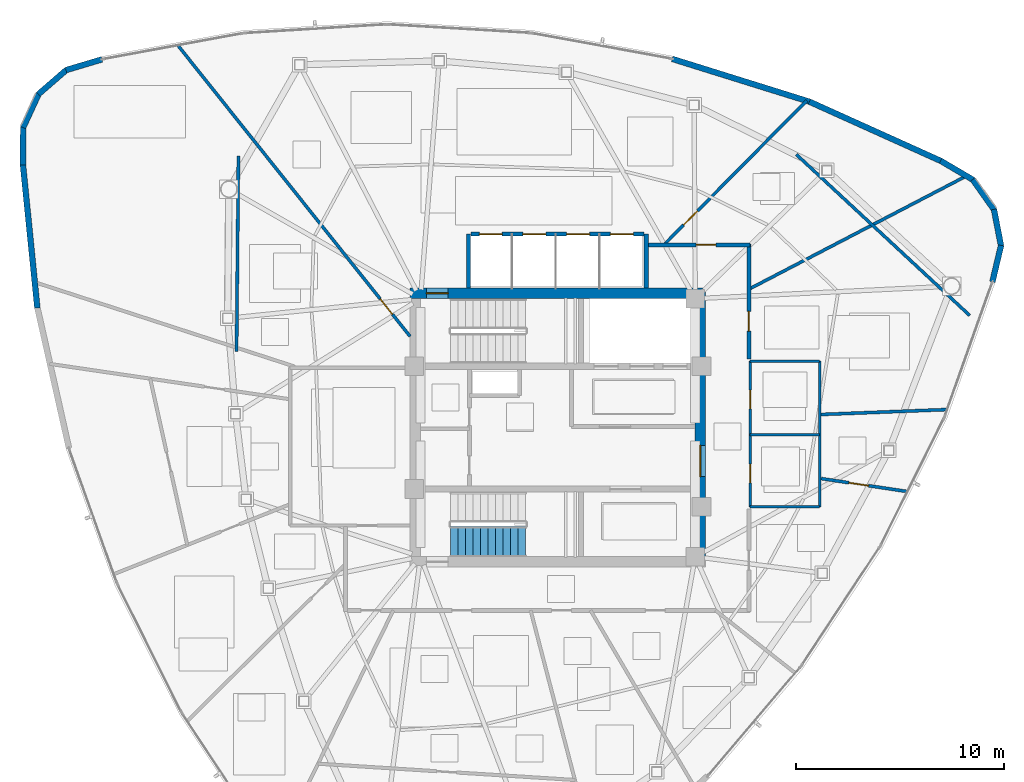
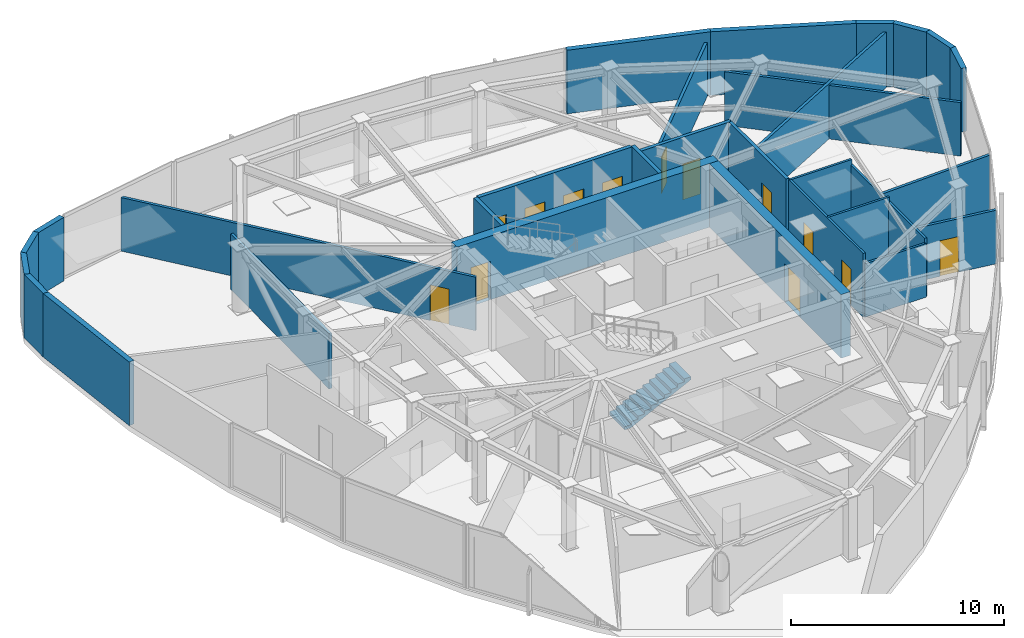
# One storey, part 9 of 13: 30 walls, 13 doors, 1 stair flight, 13 openings, 1 element without a shape of its own.
"""IFC4 building model written with IfcOpenShell, lengths in metres."""

from ifc_helpers import new_model, si_unit, direction, frame, frame_2d, origin, place, context, subcontext, project, spatial, polyline, rectangle, outline, extrude, material, layer, layer_set, type_object, element, fill, aggregate, save


model = new_model("IFC4")

# Units and contexts
model_context = context("Model", 3, precision=1e-05, world=origin(), true_north=direction((0.0, 1.0)))
body_context = subcontext(model_context, "Body", "Model", "MODEL_VIEW")
ifc_project = project(units=[si_unit("LENGTHUNIT", "METRE"), si_unit("AREAUNIT", "SQUARE_METRE"), si_unit("VOLUMEUNIT", "CUBIC_METRE"), si_unit("PLANEANGLEUNIT", "RADIAN"), si_unit("MASSUNIT", "GRAM", prefix="KILO")], contexts=[model_context])

# Site, building, storey
site_placement = place(None, origin())
site = spatial("IfcSite", under=ifc_project, at=site_placement, CompositionType="ELEMENT")
building_placement = place(site_placement, origin())
building = spatial("IfcBuilding", under=site, at=building_placement, Name="Tavelor Broadcast Tower", CompositionType="ELEMENT")
storey_placement = place(building_placement, frame((0.0, 0.0, 265.60009765625)))
storey = spatial("IfcBuildingStorey", under=building, at=storey_placement, Name="L63", CompositionType="ELEMENT", Elevation=265.60009765625)

# Wall, opening, door
ifc_material_1 = material(Name="Concrete C50/60", Category="concrete")
ifc_layer_1 = layer(ifc_material_1, 0.5)
ifc_layer_set_1 = layer_set([ifc_layer_1], Name="Concrete C50/60")
wall_type_1 = type_object("IfcWallType", Name="Core Shear Wall 500 mm", PredefinedType="SHEAR", material=ifc_layer_set_1)
wall_1_placement = place(storey_placement, frame((42.89990234375, 51.449951171875, 0.0), z_axis=(0.0, 0.0, 1.0), x_axis=(1.0, 0.0, 0.0)))
wall_1 = element("IfcWall", 1, at=wall_1_placement, inside=storey, type_object=wall_type_1, Name="L63 Central Core Shear Wall N", PredefinedType="SHEAR", context=body_context, shape_type="SweptSolid", body=[
    extrude(rectangle(XDim=14.2001953125, YDim=0.5, at=frame_2d((7.10009765625, 0.0))), origin(), (0.0, 0.0, 1.0), 3.64990234375),
])
opening_1_placement = place(wall_1_placement, frame((0.780029296875, 0.0, 0.0)))
opening_1 = element("IfcOpeningElement", 2, at=opening_1_placement, cuts=wall_1, Name="Opening DR11", PredefinedType="OPENING", context=body_context, shape_type="SweptSolid", body=[
    extrude(rectangle(XDim=1.050048828125, YDim=2.199951171875, at=frame_2d((0.52490234375, 1.10009765625))), frame((0.0, 0.260009765625, 0.0), z_axis=(0.0, -1.0, 0.0), x_axis=(1.0, 0.0, 0.0)), (0.0, 0.0, 1.0), 0.52001953125),
])
ifc_material_2 = material(Name="Steel S355", Category="steel")
door_type_1 = type_object("IfcDoorType", Name="Stair Core Fire Escape Door 1050x2200", OperationType="NOTDEFINED", PredefinedType="DOOR", material=ifc_material_2)
door_1_placement = place(opening_1_placement, origin())
door_1 = element("IfcDoor", 3, at=door_1_placement, inside=storey, type_object=door_type_1, Name="L63 Stair ST1 Protected Exit Door", OperationType="SINGLE_SWING_LEFT", OverallHeight=2.199951171875, OverallWidth=1.050048828125, PredefinedType="DOOR", context=body_context, shape_type="SweptSolid", body=[
    extrude(rectangle(XDim=1.050048828125, YDim=2.199951171875, at=frame_2d((0.52490234375, 1.10009765625))), frame((0.0, 0.02490234375, 0.0), z_axis=(0.0, -1.0, 0.0), x_axis=(1.0, 0.0, 0.0)), (0.0, 0.0, 1.0), 0.050048828125),
])
fill(opening_1, door_1)

wall_2_placement = place(storey_placement, frame((56.85009765625, 38.800048828125, 0.0), z_axis=(0.0, 0.0, 1.0), x_axis=(0.0, 1.0, 0.0)))
wall_2 = element("IfcWall", 4, at=wall_2_placement, inside=storey, type_object=wall_type_1, Name="L63 Central Core Shear Wall E", PredefinedType="SHEAR", context=body_context, shape_type="SweptSolid", body=[
    extrude(rectangle(XDim=12.39990234375, YDim=0.5, at=frame_2d((6.199951171875, 0.0))), origin(), (0.0, 0.0, 1.0), 3.64990234375),
])
opening_2_placement = place(wall_2_placement, frame((3.85009765625, 0.0, 0.0)))
opening_2 = element("IfcOpeningElement", 5, at=opening_2_placement, cuts=wall_2, Name="Opening DR14", PredefinedType="OPENING", context=body_context, shape_type="SweptSolid", body=[
    extrude(rectangle(XDim=1.5, YDim=2.199951171875, at=frame_2d((0.75, 1.10009765625))), frame((0.0, 0.260009765625, 0.0), z_axis=(0.0, -1.0, 0.0), x_axis=(1.0, 0.0, 0.0)), (0.0, 0.0, 1.0), 0.52001953125),
])
door_type_2 = type_object("IfcDoorType", Name="Firefighting Lobby Double Fire Door 1500x2200", OperationType="NOTDEFINED", PredefinedType="DOOR", material=ifc_material_2)
door_2_placement = place(opening_2_placement, origin())
door_2 = element("IfcDoor", 6, at=door_2_placement, inside=storey, type_object=door_type_2, Name="L63 Central Core Lobby Fire Door", OperationType="SINGLE_SWING_LEFT", OverallHeight=2.199951171875, OverallWidth=1.5, PredefinedType="DOOR", context=body_context, shape_type="SweptSolid", body=[
    extrude(rectangle(XDim=1.5, YDim=2.199951171875, at=frame_2d((0.75, 1.10009765625))), frame((0.0, 0.02490234375, 0.0), z_axis=(0.0, -1.0, 0.0), x_axis=(1.0, 0.0, 0.0)), (0.0, 0.0, 1.0), 0.050048828125),
])
fill(opening_2, door_2)

ifc_material_3 = material(Name="Calcium Silicate Fire Board 180 mm", Category="gypsum")
ifc_layer_2 = layer(ifc_material_3, 0.179931640625)
ifc_layer_set_2 = layer_set([ifc_layer_2], Name="Calcium Silicate Fire Board 180 mm")
wall_type_2 = type_object("IfcWallType", Name="Fire-Rated Corridor Partition Wall 180 mm", PredefinedType="PARTITIONING", material=ifc_layer_set_2)
wall_3_placement = place(storey_placement, frame((54.300048828125, 53.780029296875, 0.0), z_axis=(0.0, 0.0, 1.0), x_axis=(1.0, 0.0, 0.0)))
wall_3 = element("IfcWall", 7, at=wall_3_placement, inside=storey, type_object=wall_type_2, Name="L63 Corridor Compartment Wall 01", PredefinedType="PARTITIONING", context=body_context, shape_type="SweptSolid", body=[
    extrude(rectangle(XDim=4.929931640625, YDim=0.179931640625, at=frame_2d((2.46484375, 0.0))), origin(), (0.0, 0.0, 1.0), 3.64990234375),
])
opening_3_placement = place(wall_3_placement, frame((2.3388671875, 0.0, 0.0)))
opening_3 = element("IfcOpeningElement", 8, at=opening_3_placement, cuts=wall_3, Name="Opening DR18", PredefinedType="OPENING", context=body_context, shape_type="SweptSolid", body=[
    extrude(rectangle(XDim=0.949951171875, YDim=2.050048828125, at=frame_2d((0.47509765625, 1.02490234375))), frame((0.0, 0.10009765625, 0.0), z_axis=(0.0, -1.0, 0.0), x_axis=(1.0, 0.0, 0.0)), (0.0, 0.0, 1.0), 0.199951171875),
])
ifc_material_4 = material(Name="Timber Solid Core Hardwood", Category="wood")
door_type_3 = type_object("IfcDoorType", Name="Corridor Rated Compartment Door 950x2050", OperationType="NOTDEFINED", PredefinedType="DOOR", material=ifc_material_4)
door_3_placement = place(opening_3_placement, origin())
door_3 = element("IfcDoor", 9, at=door_3_placement, inside=storey, type_object=door_type_3, Name="L63 Catering Server Pantry Door R11", OperationType="SINGLE_SWING_LEFT", OverallHeight=2.050048828125, OverallWidth=0.949951171875, PredefinedType="DOOR", context=body_context, shape_type="SweptSolid", body=[
    extrude(rectangle(XDim=0.949951171875, YDim=2.050048828125, at=frame_2d((0.47509765625, 1.02490234375))), frame((0.0, 0.02490234375, 0.0), z_axis=(0.0, -1.0, 0.0), x_axis=(1.0, 0.0, 0.0)), (0.0, 0.0, 1.0), 0.050048828125),
])
fill(opening_3, door_3)

wall_4_placement = place(storey_placement, frame((59.179931640625, 53.830078125, 0.0), z_axis=(0.0, 0.0, 1.0), x_axis=(0.0, -1.0, 0.0)))
wall_4 = element("IfcWall", 10, at=wall_4_placement, inside=storey, type_object=wall_type_2, Name="L63 Corridor Compartment Wall 02", PredefinedType="PARTITIONING", context=body_context, shape_type="SweptSolid", body=[
    extrude(rectangle(XDim=5.530029296875, YDim=0.179931640625, at=frame_2d((2.76513671875, 0.0))), origin(), (0.0, 0.0, 1.0), 3.64990234375),
])
opening_4_placement = place(wall_4_placement, frame((3.237548828125, 0.0, 0.0)))
opening_4 = element("IfcOpeningElement", 11, at=opening_4_placement, cuts=wall_4, Name="Opening DR18", PredefinedType="OPENING", context=body_context, shape_type="SweptSolid", body=[
    extrude(rectangle(XDim=0.949951171875, YDim=2.050048828125, at=frame_2d((0.47509765625, 1.02490234375))), frame((0.0, 0.10009765625, 0.0), z_axis=(0.0, -1.0, 0.0), x_axis=(1.0, 0.0, 0.0)), (0.0, 0.0, 1.0), 0.199951171875),
])
door_4_placement = place(opening_4_placement, origin())
door_4 = element("IfcDoor", 12, at=door_4_placement, inside=storey, type_object=door_type_3, Name="L63 Press Concierge Desk Door R12", OperationType="SINGLE_SWING_RIGHT", OverallHeight=2.050048828125, OverallWidth=0.949951171875, PredefinedType="DOOR", context=body_context, shape_type="SweptSolid", body=[
    extrude(rectangle(XDim=0.949951171875, YDim=2.050048828125, at=frame_2d((0.47509765625, 1.02490234375))), frame((0.0, 0.02490234375, 0.0), z_axis=(0.0, -1.0, 0.0), x_axis=(1.0, 0.0, 0.0)), (0.0, 0.0, 1.0), 0.050048828125),
])
fill(opening_4, door_4)

# Walls
ifc_material_5 = material(Name="Precast Concrete C40/50", Category="concrete")
ifc_layer_3 = layer(ifc_material_5, 0.280029296875)
ifc_layer_set_3 = layer_set([ifc_layer_3], Name="Precast Concrete C40/50")
wall_type_3 = type_object("IfcWallType", Name="Insulated Precast Terracotta Facade Wall 280 mm", PredefinedType="STANDARD", material=ifc_layer_set_3)
wall_5_placement = place(storey_placement, frame((28.09228515625, 62.69677734375, 0.0), z_axis=(0.0, 0.0, 1.0), x_axis=(-0.95805708226, -0.286577436537, 0.0)))
element("IfcWall", 13, at=wall_5_placement, inside=storey, type_object=wall_type_3, Name="L63 Rounded Corner Structural Cladding Pier 01", PredefinedType="STANDARD", context=body_context, shape_type="SweptSolid", body=[
    extrude(rectangle(XDim=1.802734375, YDim=0.280029296875, at=frame_2d((0.9013671875, 0.0))), origin(), (0.0, 0.0, 1.0), 3.64990234375),
])
for number, where, z_axis, x_axis, name in (
    (14, (26.39111328125, 62.1943359375, 0.0), (0.0, 0.0, 1.0), (-0.755297660061, -0.655381907521, 0.0), "L63 Rounded Corner Structural Cladding Pier 02"),
    (15, (25.055908203125, 61.0439453125, 0.0), (0.0, 0.0, 1.0), (-0.418634546618, -0.908154786574, 0.0), "L63 Rounded Corner Structural Cladding Pier 03"),
):
    element("IfcWall", number, at=place(storey_placement, frame(where, z_axis=z_axis, x_axis=x_axis)), inside=storey, type_object=wall_type_3, Name=name, PredefinedType="STANDARD", context=body_context, shape_type="SweptSolid", body=[
        extrude(rectangle(XDim=1.791015625, YDim=0.280029296875, at=frame_2d((0.8955078125, 0.0))), origin(), (0.0, 0.0, 1.0), 3.64990234375),
    ])
wall_6_placement = place(storey_placement, frame((24.3125, 59.446044921875, 0.0), z_axis=(0.0, 0.0, 1.0), x_axis=(-0.007942668139, -0.999968456514, 0.0)))
element("IfcWall", 16, at=wall_6_placement, inside=storey, type_object=wall_type_3, Name="L63 Rounded Corner Structural Cladding Pier 04", PredefinedType="STANDARD", context=body_context, shape_type="SweptSolid", body=[
    extrude(rectangle(XDim=1.8134765625, YDim=0.280029296875, at=frame_2d((0.90673828125, 0.0))), origin(), (0.0, 0.0, 1.0), 3.64990234375),
])
wall_7_placement = place(storey_placement, frame((24.296875, 57.66259765625, 0.0), z_axis=(0.0, 0.0, 1.0), x_axis=(0.099743821193, -0.995013150734, 0.0)))
element("IfcWall", 17, at=wall_7_placement, inside=storey, type_object=wall_type_3, Name="L63 Rounded Corner Structural Cladding Pier 05", PredefinedType="STANDARD", context=body_context, shape_type="SweptSolid", body=[
    extrude(rectangle(XDim=6.946533203125, YDim=0.280029296875, at=frame_2d((3.47314453125, 0.0))), origin(), (0.0, 0.0, 1.0), 3.64990234375),
])
wall_8_placement = place(storey_placement, frame((70.879638671875, 52.006591796875, 0.0), z_axis=(0.0, 0.0, 1.0), x_axis=(0.230918582412, 0.972973076861, 0.0)))
element("IfcWall", 18, at=wall_8_placement, inside=storey, type_object=wall_type_3, Name="L63 Rounded Corner Structural Cladding Pier 21", PredefinedType="STANDARD", context=body_context, shape_type="SweptSolid", body=[
    extrude(rectangle(XDim=1.802734375, YDim=0.280029296875, at=frame_2d((0.9013671875, 0.0))), origin(), (0.0, 0.0, 1.0), 3.64990234375),
])
for number, where, z_axis, x_axis, name in (
    (19, (71.295166015625, 53.731201171875, 0.0), (0.0, 0.0, 1.0), (-0.189898981255, 0.981803634602, 0.0), "L63 Rounded Corner Structural Cladding Pier 22"),
    (20, (70.966552734375, 55.462646484375, 0.0), (0.0, 0.0, 1.0), (-0.577207606276, 0.816597440149, 0.0), "L63 Rounded Corner Structural Cladding Pier 23"),
):
    element("IfcWall", number, at=place(storey_placement, frame(where, z_axis=z_axis, x_axis=x_axis)), inside=storey, type_object=wall_type_3, Name=name, PredefinedType="STANDARD", context=body_context, shape_type="SweptSolid", body=[
        extrude(rectangle(XDim=1.790771484375, YDim=0.280029296875, at=frame_2d((0.8955078125, 0.0))), origin(), (0.0, 0.0, 1.0), 3.64990234375),
    ])
wall_9_placement = place(storey_placement, frame((69.954345703125, 56.9052734375, 0.0), z_axis=(0.0, 0.0, 1.0), x_axis=(-0.862055306769, 0.506814214551, 0.0)))
element("IfcWall", 21, at=wall_9_placement, inside=storey, type_object=wall_type_3, Name="L63 Rounded Corner Structural Cladding Pier 24", PredefinedType="STANDARD", context=body_context, shape_type="SweptSolid", body=[
    extrude(rectangle(XDim=1.813720703125, YDim=0.280029296875, at=frame_2d((0.90673828125, 0.0))), origin(), (0.0, 0.0, 1.0), 3.64990234375),
])
wall_10_placement = place(storey_placement, frame((68.41748046875, 57.810546875, 0.0), z_axis=(0.0, 0.0, 1.0), x_axis=(-0.911568677277, 0.411147840329, 0.0)))
element("IfcWall", 22, at=wall_10_placement, inside=storey, type_object=wall_type_3, Name="L63 Rounded Corner Structural Cladding Pier 25", PredefinedType="STANDARD", context=body_context, shape_type="SweptSolid", body=[
    extrude(rectangle(XDim=6.9462890625, YDim=0.280029296875, at=frame_2d((3.47314453125, 0.0))), origin(), (0.0, 0.0, 1.0), 3.64990234375),
])
wall_11_placement = place(storey_placement, frame((62.11328125, 60.656005859375, 0.0), z_axis=(0.0, 0.0, 1.0), x_axis=(-0.954621453054, 0.297821895382, 0.0)))
element("IfcWall", 23, at=wall_11_placement, inside=storey, type_object=wall_type_3, Name="L63 Rounded Corner Structural Cladding Pier 26", PredefinedType="STANDARD", context=body_context, shape_type="SweptSolid", body=[
    extrude(rectangle(XDim=6.934326171875, YDim=0.280029296875, at=frame_2d((3.46728515625, 0.0))), origin(), (0.0, 0.0, 1.0), 3.64990234375),
])
ifc_material_6 = material(Name="Gypsum Acoustic Plasterboard 150 mm", Category="gypsum")
ifc_layer_4 = layer(ifc_material_6, 0.14990234375)
ifc_layer_set_4 = layer_set([ifc_layer_4], Name="Gypsum Acoustic Plasterboard 150 mm")
wall_type_4 = type_object("IfcWallType", Name="Interior Acoustic Partition Wall 150 mm", PredefinedType="PARTITIONING", material=ifc_layer_set_4)
wall_12_placement = place(storey_placement, frame((34.651611328125, 58.0556640625, 0.0), z_axis=(0.0, 0.0, 1.0), x_axis=(-0.009553538759, -0.999954363907, 0.0)))
element("IfcWall", 24, at=wall_12_placement, inside=storey, type_object=wall_type_4, Name="L63 Corner Tube Brace Furring Wall 1", PredefinedType="PARTITIONING", context=body_context, shape_type="SweptSolid", body=[
    extrude(rectangle(XDim=9.404296875, YDim=0.14990234375, at=frame_2d((4.7021484375, 0.0))), origin(), (0.0, 0.0, 1.0), 3.1748046875),
])
wall_13_placement = place(storey_placement, frame((69.79248046875, 50.387939453125, 0.0), z_axis=(0.0, 0.0, 1.0), x_axis=(-0.732769799181, 0.680476613418, 0.0)))
element("IfcWall", 25, at=wall_13_placement, inside=storey, type_object=wall_type_4, Name="L63 Corner Tube Brace Furring Wall 3", PredefinedType="PARTITIONING", context=body_context, shape_type="SweptSolid", body=[
    extrude(rectangle(XDim=11.377685546875, YDim=0.14990234375, at=frame_2d((5.68896484375, 0.0))), origin(), (0.0, 0.0, 1.0), 3.074951171875),
])

# Wall, opening, door
wall_14_placement = place(storey_placement, frame((42.89990234375, 49.386474609375, 0.0), z_axis=(0.0, 0.0, 1.0), x_axis=(-0.623691664513, 0.781670459731, 0.0)))
wall_14 = element("IfcWall", 26, at=wall_14_placement, inside=storey, type_object=wall_type_4, Name="L63 Radial Compartment Wall 01", PredefinedType="PARTITIONING", context=body_context, shape_type="SweptSolid", body=[
    extrude(rectangle(XDim=17.90185546875, YDim=0.14990234375, at=frame_2d((8.950927734375, 0.0))), origin(), (0.0, 0.0, 1.0), 3.074951171875),
])
opening_5_placement = place(wall_14_placement, frame((1.35009765625, 0.0, 0.0)))
opening_5 = element("IfcOpeningElement", 27, at=opening_5_placement, cuts=wall_14, Name="Opening DR18", PredefinedType="OPENING", context=body_context, shape_type="SweptSolid", body=[
    extrude(rectangle(XDim=0.949951171875, YDim=2.050048828125, at=frame_2d((0.47509765625, 1.02490234375))), frame((0.0, 0.0849609375, 0.0), z_axis=(0.0, -1.0, 0.0), x_axis=(1.0, 0.0, 0.0)), (0.0, 0.0, 1.0), 0.169921875),
])
door_5_placement = place(opening_5_placement, origin())
door_5 = element("IfcDoor", 28, at=door_5_placement, inside=storey, type_object=door_type_3, Name="L63 Suite Connecting Door 9", OperationType="SINGLE_SWING_LEFT", OverallHeight=2.050048828125, OverallWidth=0.949951171875, PredefinedType="DOOR", context=body_context, shape_type="SweptSolid", body=[
    extrude(rectangle(XDim=0.949951171875, YDim=2.050048828125, at=frame_2d((0.47509765625, 1.02490234375))), frame((0.0, 0.02490234375, 0.0), z_axis=(0.0, -1.0, 0.0), x_axis=(1.0, 0.0, 0.0)), (0.0, 0.0, 1.0), 0.050048828125),
])
fill(opening_5, door_5)

wall_15_placement = place(storey_placement, frame((62.64990234375, 42.555419921875, 0.0), z_axis=(0.0, 0.0, 1.0), x_axis=(0.988865945572, -0.148809077977, 0.0)))
wall_15 = element("IfcWall", 29, at=wall_15_placement, inside=storey, type_object=wall_type_4, Name="L63 Radial Compartment Wall 10", PredefinedType="PARTITIONING", context=body_context, shape_type="SweptSolid", body=[
    extrude(rectangle(XDim=4.203369140625, YDim=0.14990234375, at=frame_2d((2.1015625, 0.0))), origin(), (0.0, 0.0, 1.0), 3.074951171875),
])
opening_6_placement = place(wall_15_placement, frame((1.35009765625, 0.0, 0.0)))
opening_6 = element("IfcOpeningElement", 30, at=opening_6_placement, cuts=wall_15, Name="Opening DR18", PredefinedType="OPENING", context=body_context, shape_type="SweptSolid", body=[
    extrude(rectangle(XDim=0.949951171875, YDim=2.050048828125, at=frame_2d((0.47509765625, 1.02490234375))), frame((0.0, 0.0849609375, 0.0), z_axis=(0.0, -1.0, 0.0), x_axis=(1.0, 0.0, 0.0)), (0.0, 0.0, 1.0), 0.169921875),
])
door_6_placement = place(opening_6_placement, origin())
door_6 = element("IfcDoor", 31, at=door_6_placement, inside=storey, type_object=door_type_3, Name="L63 Suite Connecting Door 0", OperationType="SINGLE_SWING_LEFT", OverallHeight=2.050048828125, OverallWidth=0.949951171875, PredefinedType="DOOR", context=body_context, shape_type="SweptSolid", body=[
    extrude(rectangle(XDim=0.949951171875, YDim=2.050048828125, at=frame_2d((0.47509765625, 1.02490234375))), frame((0.0, 0.02490234375, 0.0), z_axis=(0.0, -1.0, 0.0), x_axis=(1.0, 0.0, 0.0)), (0.0, 0.0, 1.0), 0.050048828125),
])
fill(opening_6, door_6)

# Walls
wall_16_placement = place(storey_placement, frame((62.64990234375, 45.634521484375, 0.0), z_axis=(0.0, 0.0, 1.0), x_axis=(0.999238422778, 0.039020179956, 0.0)))
element("IfcWall", 32, at=wall_16_placement, inside=storey, type_object=wall_type_4, Name="L63 Radial Compartment Wall 11", PredefinedType="PARTITIONING", context=body_context, shape_type="SweptSolid", body=[
    extrude(rectangle(XDim=6.069091796875, YDim=0.14990234375, at=frame_2d((3.03466796875, 0.0))), origin(), (0.0, 0.0, 1.0), 3.1748046875),
])
wall_17_placement = place(storey_placement, frame((59.179931640625, 51.65380859375, 0.0), z_axis=(0.0, 0.0, 1.0), x_axis=(0.886983860718, 0.461800423155, 0.0)))
element("IfcWall", 33, at=wall_17_placement, inside=storey, type_object=wall_type_4, Name="L63 Radial Compartment Wall 12", PredefinedType="PARTITIONING", context=body_context, shape_type="SweptSolid", body=[
    extrude(rectangle(XDim=11.794677734375, YDim=0.14990234375, at=frame_2d((5.8974609375, 0.0))), origin(), (0.0, 0.0, 1.0), 3.1748046875),
])

# Wall, opening, door
wall_18_placement = place(storey_placement, frame((55.0908203125, 53.780029296875, 0.0), z_axis=(0.0, 0.0, 1.0), x_axis=(0.703482432315, 0.710712647576, 0.0)))
wall_18 = element("IfcWall", 34, at=wall_18_placement, inside=storey, type_object=wall_type_4, Name="L63 Radial Compartment Wall 13", PredefinedType="PARTITIONING", context=body_context, shape_type="SweptSolid", body=[
    extrude(rectangle(XDim=9.758544921875, YDim=0.14990234375, at=frame_2d((4.87939453125, 0.0))), origin(), (0.0, 0.0, 1.0), 3.074951171875),
])
opening_7_placement = place(wall_18_placement, frame((1.35009765625, 0.0, 0.0)))
opening_7 = element("IfcOpeningElement", 35, at=opening_7_placement, cuts=wall_18, Name="Opening DR18", PredefinedType="OPENING", context=body_context, shape_type="SweptSolid", body=[
    extrude(rectangle(XDim=0.949951171875, YDim=2.050048828125, at=frame_2d((0.47509765625, 1.02490234375))), frame((0.0, 0.0849609375, 0.0), z_axis=(0.0, -1.0, 0.0), x_axis=(1.0, 0.0, 0.0)), (0.0, 0.0, 1.0), 0.169921875),
])
door_7_placement = place(opening_7_placement, origin())
door_7 = element("IfcDoor", 36, at=door_7_placement, inside=storey, type_object=door_type_3, Name="L63 Suite Connecting Door 10", OperationType="SINGLE_SWING_RIGHT", OverallHeight=2.050048828125, OverallWidth=0.949951171875, PredefinedType="DOOR", context=body_context, shape_type="SweptSolid", body=[
    extrude(rectangle(XDim=0.949951171875, YDim=2.050048828125, at=frame_2d((0.47509765625, 1.02490234375))), frame((0.0, 0.02490234375, 0.0), z_axis=(0.0, -1.0, 0.0), x_axis=(1.0, 0.0, 0.0)), (0.0, 0.0, 1.0), 0.050048828125),
])
fill(opening_7, door_7)

# Wall, openings, doors
ifc_material_7 = material(Name="Concrete Blockwork 200 mm", Category="masonry")
ifc_layer_5 = layer(ifc_material_7, 0.199951171875)
ifc_layer_set_5 = layer_set([ifc_layer_5], Name="Concrete Blockwork 200 mm")
wall_type_5 = type_object("IfcWallType", Name="Lift Hoistway Rated Front Wall 200 mm", PredefinedType="PARTITIONING", material=ifc_layer_set_5)
wall_19_placement = place(storey_placement, frame((45.820068359375, 54.300048828125, 0.0), z_axis=(0.0, 0.0, 1.0), x_axis=(1.0, 0.0, 0.0)))
wall_19 = element("IfcWall", 37, at=wall_19_placement, inside=storey, type_object=wall_type_5, Name="L63 High-Rise Lift Hoistway Front Wall", PredefinedType="PARTITIONING", context=body_context, shape_type="SweptSolid", body=[
    extrude(rectangle(XDim=8.309814453125, YDim=0.199951171875, at=frame_2d((4.15478515625, 0.0))), origin(), (0.0, 0.0, 1.0), 3.64990234375),
])
opening_8_placement = place(wall_19_placement, frame((0.405029296875, 0.0, 0.0)))
opening_8 = element("IfcOpeningElement", 38, at=opening_8_placement, cuts=wall_19, Name="Opening LD01", PredefinedType="OPENING", context=body_context, shape_type="SweptSolid", body=[
    extrude(rectangle(XDim=1.10009765625, YDim=2.14990234375, at=frame_2d((0.550048828125, 1.074951171875))), frame((0.0, 0.10986328125, 0.0), z_axis=(0.0, -1.0, 0.0), x_axis=(1.0, 0.0, 0.0)), (0.0, 0.0, 1.0), 0.219970703125),
])
opening_9_placement = place(wall_19_placement, frame((2.5048828125, 0.0, 0.0)))
opening_9 = element("IfcOpeningElement", 39, at=opening_9_placement, cuts=wall_19, Name="Opening LD01", PredefinedType="OPENING", context=body_context, shape_type="SweptSolid", body=[
    extrude(rectangle(XDim=1.10009765625, YDim=2.14990234375, at=frame_2d((0.550048828125, 1.074951171875))), frame((0.0, 0.10986328125, 0.0), z_axis=(0.0, -1.0, 0.0), x_axis=(1.0, 0.0, 0.0)), (0.0, 0.0, 1.0), 0.219970703125),
])
opening_10_placement = place(wall_19_placement, frame((4.60498046875, 0.0, 0.0)))
opening_10 = element("IfcOpeningElement", 40, at=opening_10_placement, cuts=wall_19, Name="Opening LD01", PredefinedType="OPENING", context=body_context, shape_type="SweptSolid", body=[
    extrude(rectangle(XDim=1.10009765625, YDim=2.14990234375, at=frame_2d((0.550048828125, 1.074951171875))), frame((0.0, 0.10986328125, 0.0), z_axis=(0.0, -1.0, 0.0), x_axis=(1.0, 0.0, 0.0)), (0.0, 0.0, 1.0), 0.219970703125),
])
opening_11_placement = place(wall_19_placement, frame((6.705078125, 0.0, 0.0)))
opening_11 = element("IfcOpeningElement", 41, at=opening_11_placement, cuts=wall_19, Name="Opening LD01", PredefinedType="OPENING", context=body_context, shape_type="SweptSolid", body=[
    extrude(rectangle(XDim=1.10009765625, YDim=2.14990234375, at=frame_2d((0.550048828125, 1.074951171875))), frame((0.0, 0.10986328125, 0.0), z_axis=(0.0, -1.0, 0.0), x_axis=(1.0, 0.0, 0.0)), (0.0, 0.0, 1.0), 0.219970703125),
])
ifc_material_8 = material(Name="Brushed Stainless Steel", Category="steel")
door_type_4 = type_object("IfcDoorType", Name="Passenger Lift Sliding Landing Door 1100x2150", OperationType="NOTDEFINED", PredefinedType="DOOR", material=ifc_material_8)
door_8_placement = place(opening_8_placement, origin())
door_8 = element("IfcDoor", 42, at=door_8_placement, inside=storey, type_object=door_type_4, Name="L63 Lift PLH1 Sliding Landing Door", OperationType="SLIDING_TO_LEFT", OverallHeight=2.14990234375, OverallWidth=1.10009765625, PredefinedType="DOOR", context=body_context, shape_type="SweptSolid", body=[
    extrude(rectangle(XDim=1.10009765625, YDim=2.14990234375, at=frame_2d((0.550048828125, 1.074951171875))), frame((0.0, 0.02490234375, 0.0), z_axis=(0.0, -1.0, 0.0), x_axis=(1.0, 0.0, 0.0)), (0.0, 0.0, 1.0), 0.050048828125),
])
fill(opening_8, door_8)
door_9_placement = place(opening_9_placement, origin())
door_9 = element("IfcDoor", 43, at=door_9_placement, inside=storey, type_object=door_type_4, Name="L63 Lift PLH2 Sliding Landing Door", OperationType="SLIDING_TO_RIGHT", OverallHeight=2.14990234375, OverallWidth=1.10009765625, PredefinedType="DOOR", context=body_context, shape_type="SweptSolid", body=[
    extrude(rectangle(XDim=1.10009765625, YDim=2.14990234375, at=frame_2d((0.550048828125, 1.074951171875))), frame((0.0, 0.02490234375, 0.0), z_axis=(0.0, -1.0, 0.0), x_axis=(1.0, 0.0, 0.0)), (0.0, 0.0, 1.0), 0.050048828125),
])
fill(opening_9, door_9)
door_10_placement = place(opening_10_placement, origin())
door_10 = element("IfcDoor", 44, at=door_10_placement, inside=storey, type_object=door_type_4, Name="L63 Lift PLH3 Sliding Landing Door", OperationType="SLIDING_TO_LEFT", OverallHeight=2.14990234375, OverallWidth=1.10009765625, PredefinedType="DOOR", context=body_context, shape_type="SweptSolid", body=[
    extrude(rectangle(XDim=1.10009765625, YDim=2.14990234375, at=frame_2d((0.550048828125, 1.074951171875))), frame((0.0, 0.02490234375, 0.0), z_axis=(0.0, -1.0, 0.0), x_axis=(1.0, 0.0, 0.0)), (0.0, 0.0, 1.0), 0.050048828125),
])
fill(opening_10, door_10)
door_11_placement = place(opening_11_placement, origin())
door_11 = element("IfcDoor", 45, at=door_11_placement, inside=storey, type_object=door_type_4, Name="L63 Lift PLH4 Sliding Landing Door", OperationType="SLIDING_TO_RIGHT", OverallHeight=2.14990234375, OverallWidth=1.10009765625, PredefinedType="DOOR", context=body_context, shape_type="SweptSolid", body=[
    extrude(rectangle(XDim=1.10009765625, YDim=2.14990234375, at=frame_2d((0.550048828125, 1.074951171875))), frame((0.0, 0.02490234375, 0.0), z_axis=(0.0, -1.0, 0.0), x_axis=(1.0, 0.0, 0.0)), (0.0, 0.0, 1.0), 0.050048828125),
])
fill(opening_11, door_11)

# Walls
ifc_layer_6 = layer(ifc_material_7, 0.199951171875)
ifc_layer_set_6 = layer_set([ifc_layer_6], Name="Concrete Blockwork 200 mm")
wall_type_6 = type_object("IfcWallType", Name="Lift and Riser Shaft Enclosure Wall 200 mm", PredefinedType="PARTITIONING", material=ifc_layer_set_6)
for number, where, z_axis, x_axis, name in (
    (46, (45.699951171875, 51.699951171875, 0.0), (0.0, 0.0, 1.0), (0.0, 1.0, 0.0), "L63 High-Rise Lift Shaft West Wall"),
    (47, (54.25, 51.699951171875, 0.0), (0.0, 0.0, 1.0), (0.0, 1.0, 0.0), "L63 High-Rise Lift Shaft East Wall"),
):
    element("IfcWall", number, at=place(storey_placement, frame(where, z_axis=z_axis, x_axis=x_axis)), inside=storey, type_object=wall_type_6, Name=name, PredefinedType="PARTITIONING", context=body_context, shape_type="SweptSolid", body=[
        extrude(rectangle(XDim=2.60009765625, YDim=0.199951171875, at=frame_2d((1.300048828125, 0.0))), origin(), (0.0, 0.0, 1.0), 3.64990234375),
    ])

# Wall, openings, doors
ifc_material_9 = material(Name="Moisture-Resistant Plasterboard 120 mm", Category="gypsum")
ifc_layer_7 = layer(ifc_material_9, 0.1201171875)
ifc_layer_set_7 = layer_set([ifc_layer_7], Name="Moisture-Resistant Plasterboard 120 mm")
wall_type_7 = type_object("IfcWallType", Name="Moisture-Resistant Wet-Room Partition 120 mm", PredefinedType="PARTITIONING", material=ifc_layer_set_7)
wall_20_placement = place(storey_placement, frame((59.239990234375, 41.199951171875, 0.0), z_axis=(0.0, 0.0, 1.0), x_axis=(0.0, 1.0, 0.0)))
wall_20 = element("IfcWall", 48, at=wall_20_placement, inside=storey, type_object=wall_type_7, Name="L63 Floor Washrooms West Wall", PredefinedType="PARTITIONING", context=body_context, shape_type="SweptSolid", body=[
    extrude(rectangle(XDim=7.0, YDim=0.1201171875, at=frame_2d((3.5, 0.0))), origin(), (0.0, 0.0, 1.0), 3.64990234375),
])
opening_12_placement = place(wall_20_placement, frame((1.14990234375, 0.0, 0.0)))
opening_12 = element("IfcOpeningElement", 49, at=opening_12_placement, cuts=wall_20, Name="Opening DR32", PredefinedType="OPENING", context=body_context, shape_type="SweptSolid", body=[
    extrude(rectangle(XDim=0.89990234375, YDim=2.050048828125, at=frame_2d((0.449951171875, 1.02490234375))), frame((0.0, 0.070068359375, 0.0), z_axis=(0.0, -1.0, 0.0), x_axis=(1.0, 0.0, 0.0)), (0.0, 0.0, 1.0), 0.14013671875),
])
opening_13_placement = place(wall_20_placement, frame((4.699951171875, 0.0, 0.0)))
opening_13 = element("IfcOpeningElement", 50, at=opening_13_placement, cuts=wall_20, Name="Opening DR32", PredefinedType="OPENING", context=body_context, shape_type="SweptSolid", body=[
    extrude(rectangle(XDim=0.89990234375, YDim=2.050048828125, at=frame_2d((0.449951171875, 1.02490234375))), frame((0.0, 0.070068359375, 0.0), z_axis=(0.0, -1.0, 0.0), x_axis=(1.0, 0.0, 0.0)), (0.0, 0.0, 1.0), 0.14013671875),
])
door_type_5 = type_object("IfcDoorType", Name="Accessible Washroom Door 900x2050", OperationType="NOTDEFINED", PredefinedType="DOOR", material=ifc_material_4)
door_12_placement = place(opening_12_placement, origin())
door_12 = element("IfcDoor", 51, at=door_12_placement, inside=storey, type_object=door_type_5, Name="L63 Accessible WC Door", OperationType="SINGLE_SWING_LEFT", OverallHeight=2.050048828125, OverallWidth=0.89990234375, PredefinedType="DOOR", context=body_context, shape_type="SweptSolid", body=[
    extrude(rectangle(XDim=0.89990234375, YDim=2.050048828125, at=frame_2d((0.449951171875, 1.02490234375))), frame((0.0, 0.02490234375, 0.0), z_axis=(0.0, -1.0, 0.0), x_axis=(1.0, 0.0, 0.0)), (0.0, 0.0, 1.0), 0.050048828125),
])
fill(opening_12, door_12)
door_13_placement = place(opening_13_placement, origin())
door_13 = element("IfcDoor", 52, at=door_13_placement, inside=storey, type_object=door_type_5, Name="L63 Staff Washroom WC Door", OperationType="SINGLE_SWING_RIGHT", OverallHeight=2.050048828125, OverallWidth=0.89990234375, PredefinedType="DOOR", context=body_context, shape_type="SweptSolid", body=[
    extrude(rectangle(XDim=0.89990234375, YDim=2.050048828125, at=frame_2d((0.449951171875, 1.02490234375))), frame((0.0, 0.02490234375, 0.0), z_axis=(0.0, -1.0, 0.0), x_axis=(1.0, 0.0, 0.0)), (0.0, 0.0, 1.0), 0.050048828125),
])
fill(opening_13, door_13)

# Walls
wall_21_placement = place(storey_placement, frame((59.239990234375, 41.199951171875, 0.0), z_axis=(0.0, 0.0, 1.0), x_axis=(1.0, 0.0, 0.0)))
element("IfcWall", 53, at=wall_21_placement, inside=storey, type_object=wall_type_7, Name="L63 Floor Washrooms South Wall", PredefinedType="PARTITIONING", context=body_context, shape_type="SweptSolid", body=[
    extrude(rectangle(XDim=3.340087890625, YDim=0.1201171875, at=frame_2d((1.669921875, 0.0))), origin(), (0.0, 0.0, 1.0), 3.074951171875),
])
for number, where, z_axis, x_axis, name in (
    (54, (59.239990234375, 44.64990234375, 0.0), (0.0, 0.0, 1.0), (1.0, 0.0, 0.0), "L63 Floor Washrooms Divider Wall"),
    (55, (59.239990234375, 48.199951171875, 0.0), (0.0, 0.0, 1.0), (1.0, 0.0, 0.0), "L63 Floor Washrooms North Wall"),
):
    element("IfcWall", number, at=place(storey_placement, frame(where, z_axis=z_axis, x_axis=x_axis)), inside=storey, type_object=wall_type_7, Name=name, PredefinedType="PARTITIONING", context=body_context, shape_type="SweptSolid", body=[
        extrude(rectangle(XDim=3.340087890625, YDim=0.1201171875, at=frame_2d((1.669921875, 0.0))), origin(), (0.0, 0.0, 1.0), 3.64990234375),
    ])
wall_22_placement = place(storey_placement, frame((62.580078125, 41.199951171875, 0.0), z_axis=(0.0, 0.0, 1.0), x_axis=(0.0, 1.0, 0.0)))
element("IfcWall", 56, at=wall_22_placement, inside=storey, type_object=wall_type_7, Name="L63 Floor Washrooms East Wall", PredefinedType="PARTITIONING", context=body_context, shape_type="SweptSolid", body=[
    extrude(rectangle(XDim=7.0, YDim=0.1201171875, at=frame_2d((3.5, 0.0))), origin(), (0.0, 0.0, 1.0), 3.35498046875),
])

# Stair, stair flight
ifc_material_10 = material(Name="Concrete C40/50", Category="concrete")
stair_type = type_object("IfcStairType", Name="Reinforced Concrete Protected Dogleg Stair 1450 mm", PredefinedType="HALF_TURN_STAIR", material=ifc_material_10)
stair_placement = place(storey_placement, origin())
stair = element("IfcStair", 57, at=stair_placement, inside=storey, type_object=stair_type, Name="L63 Protected Core Exit Stair ST2", PredefinedType="HALF_TURN_STAIR")
stair_flight_type = type_object("IfcStairFlightType", Name="Reinforced Concrete Stair Flight 1450 mm", PredefinedType="STRAIGHT", material=ifc_material_10)
stair_flight_placement = place(storey_placement, frame((44.85009765625, 39.52490234375, 0.0), z_axis=(0.0, 0.0, 1.0), x_axis=(1.0, 0.0, 0.0)))
stair_flight = element("IfcStairFlight", 58, at=stair_flight_placement, type_object=stair_flight_type, Name="ST2 flight 1", NumberOfRisers=11, NumberOfTreads=10, PredefinedType="STRAIGHT", RiserHeight=0.179545455, TreadLength=0.36, context=body_context, shape_type="SweptSolid", body=[
    extrude(outline(polyline([(0.0, 0.0), (0.0, 0.179443359375), (0.360107421875, 0.179443359375), (0.360107421875, 0.359130859375), (0.719970703125, 0.359130859375), (0.719970703125, 0.53857421875), (1.080078125, 0.53857421875), (1.080078125, 0.71826171875), (1.43994140625, 0.71826171875), (1.43994140625, 0.897705078125), (1.800048828125, 0.897705078125), (1.800048828125, 1.077392578125), (2.159912109375, 1.077392578125), (2.159912109375, 1.2568359375), (2.52001953125, 1.2568359375), (2.52001953125, 1.436279296875), (2.8798828125, 1.436279296875), (2.8798828125, 1.615966796875), (3.239990234375, 1.615966796875), (3.239990234375, 1.79541015625), (3.60009765625, 1.79541015625), (3.60009765625, 1.97509765625), (3.60009765625, 1.6279296875), (0.3359375, 0.0), (0.0, 0.0)])), frame((0.0, 0.72509765625, 0.0), z_axis=(0.0, -1.0, 0.0), x_axis=(1.0, 0.0, 0.0)), (0.0, 0.0, 1.0), 1.449951171875),
])
aggregate(stair, [stair_flight])

save(model, "model.ifc")
